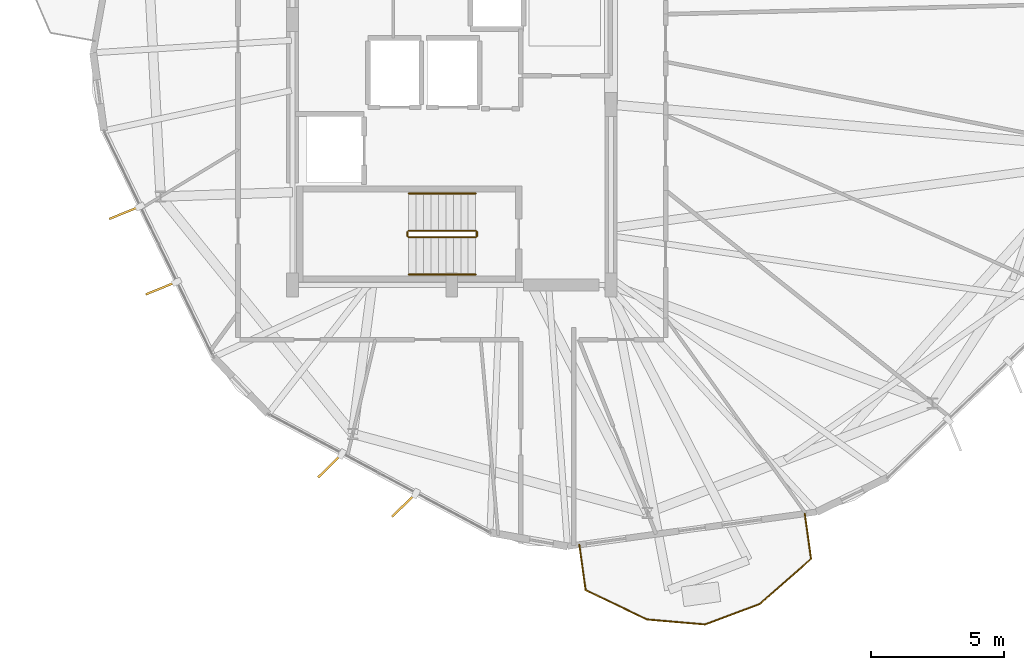
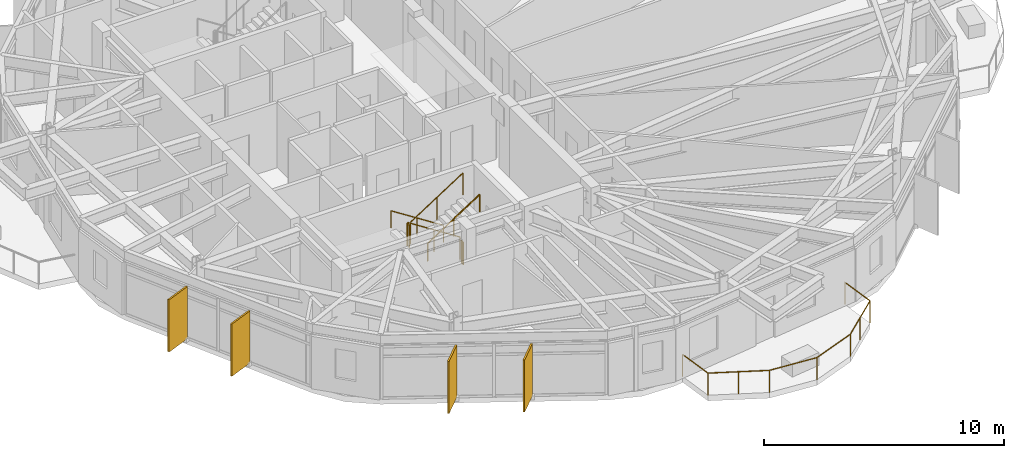
# One storey, part 24 of 26: 7 railings, 4 shading devices.
"""IFC4 building model written with IfcOpenShell, lengths in metres."""

from ifc_helpers import new_model, si_unit, direction, frame, origin, origin_2d, place, context, subcontext, project, spatial, rectangle, circle, extrude, material, layer, layer_set, type_object, element, save


model = new_model("IFC4")

# Units and contexts
model_context = context("Model", 3, precision=1e-05, world=origin(), true_north=direction((0.0, 1.0)))
body_context = subcontext(model_context, "Body", "Model", "MODEL_VIEW")
ifc_project = project(units=[si_unit("LENGTHUNIT", "METRE"), si_unit("AREAUNIT", "SQUARE_METRE"), si_unit("VOLUMEUNIT", "CUBIC_METRE"), si_unit("PLANEANGLEUNIT", "RADIAN"), si_unit("MASSUNIT", "GRAM", prefix="KILO")], contexts=[model_context])

# Site, building, storey
site_placement = place(None, origin())
site = spatial("IfcSite", under=ifc_project, at=site_placement, CompositionType="ELEMENT")
building_placement = place(site_placement, origin())
building = spatial("IfcBuilding", under=site, at=building_placement, Name="Soratama Intermodal Tower", CompositionType="ELEMENT")
storey_placement = place(building_placement, frame((0.0, 0.0, 194.199951171875)))
storey = spatial("IfcBuildingStorey", under=building, at=storey_placement, Name="L48", CompositionType="ELEMENT", Elevation=194.199951171875)

# Railings
ifc_material_1 = material(Name="Laminated glass and stainless steel balustrade", Category="steel")
railing_type_1 = type_object("IfcRailingType", Name="RL-BAL-1150", PredefinedType="BALUSTRADE", material=ifc_material_1)
railing_1_placement = place(storey_placement, frame((51.894775390625, 6.3935546875, 0.0)))
element("IfcRailing", 1, at=railing_1_placement, inside=storey, type_object=railing_type_1, Name="L48 Balcony Balustrade 4", PredefinedType="BALUSTRADE", context=body_context, shape_type="SweptSolid", body=[
    extrude(circle(Radius=0.02392578125, at=origin_2d()), frame((0.0, 0.0, 1.1259765625), z_axis=(0.136690231863, -0.990613840259, 0.0), x_axis=(0.990613840259, 0.136690231863, 0.0)), (0.0, 0.0, 1.0), 1.719970703125),
    extrude(circle(Radius=0.02392578125, at=origin_2d()), frame((0.235107421875, -1.703857421875, 1.1259765625), z_axis=(-0.751179183995, -0.660098351409, 0.0), x_axis=(0.660098351409, -0.751179183995, 0.0)), (0.0, 0.0, 1.0), 2.56787109375),
    extrude(circle(Radius=0.02392578125, at=origin_2d()), frame((-1.69384765625, -3.39892578125, 1.1259765625), z_axis=(-0.936022842187, -0.351939254566, 0.0), x_axis=(0.351939254566, -0.936022842187, 0.0)), (0.0, 0.0, 1.0), 2.197021484375),
    extrude(circle(Radius=0.02392578125, at=origin_2d()), frame((-3.750244140625, -4.172119140625, 1.1259765625), z_axis=(-0.996360953617, 0.085234090054, 0.0), x_axis=(-0.085234090054, -0.996360953617, 0.0)), (0.0, 0.0, 1.0), 2.197021484375),
    extrude(circle(Radius=0.02392578125, at=origin_2d()), frame((-5.939208984375, -3.98486328125, 1.1259765625), z_axis=(-0.901958773755, 0.431822151407, 0.0), x_axis=(-0.431822151407, -0.901958773755, 0.0)), (0.0, 0.0, 1.0), 2.56787109375),
    extrude(circle(Radius=0.02392578125, at=origin_2d()), frame((-8.25537109375, -2.8759765625, 1.1259765625), z_axis=(-0.136709454526, 0.990611187623, 0.0), x_axis=(-0.990611187623, -0.136709454526, 0.0)), (0.0, 0.0, 1.0), 1.7197265625),
    extrude(circle(Radius=0.02099609375, at=origin_2d()), origin(), (0.0, 0.0, 1.0), 1.101806640625),
    extrude(circle(Radius=0.02099609375, at=origin_2d()), frame((0.235107421875, -1.703857421875, 0.0)), (0.0, 0.0, 1.0), 1.101806640625),
    extrude(circle(Radius=0.02099609375, at=origin_2d()), frame((-0.7294921875, -2.55126953125, 0.0)), (0.0, 0.0, 1.0), 1.101806640625),
    extrude(circle(Radius=0.02099609375, at=origin_2d()), frame((-1.69384765625, -3.39892578125, 0.0)), (0.0, 0.0, 1.0), 1.101806640625),
    extrude(circle(Radius=0.02099609375, at=origin_2d()), frame((-3.750244140625, -4.172119140625, 0.0)), (0.0, 0.0, 1.0), 1.101806640625),
    extrude(circle(Radius=0.02099609375, at=origin_2d()), frame((-5.939208984375, -3.98486328125, 0.0)), (0.0, 0.0, 1.0), 1.101806640625),
    extrude(circle(Radius=0.02099609375, at=origin_2d()), frame((-7.09716796875, -3.430419921875, 0.0)), (0.0, 0.0, 1.0), 1.101806640625),
    extrude(circle(Radius=0.02099609375, at=origin_2d()), frame((-8.25537109375, -2.8759765625, 0.0)), (0.0, 0.0, 1.0), 1.101806640625),
    extrude(circle(Radius=0.02099609375, at=origin_2d()), frame((-8.490478515625, -1.17236328125, 0.0)), (0.0, 0.0, 1.0), 1.101806640625),
])
ifc_material_2 = material(Name="Painted steel stair guardrail", Category="steel")
railing_type_2 = type_object("IfcRailingType", Name="RL-STAIR-GUARD", PredefinedType="GUARDRAIL", material=ifc_material_2)
railing_2_placement = place(storey_placement, frame((39.5, 17.050048828125, 0.179931640625)))
element("IfcRailing", 2, at=railing_2_placement, inside=storey, type_object=railing_type_2, Name="L48 ST-1 stair guard 1", PredefinedType="GUARDRAIL", context=body_context, shape_type="SweptSolid", body=[
    extrude(circle(Radius=0.02392578125, at=origin_2d()), frame((0.0, 0.0, 1.1259765625), z_axis=(-0.841162588446, 0.0, 0.540782303519), x_axis=(0.0, -1.0, 0.0)), (0.0, 0.0, 1.0), 2.995849609375),
    extrude(circle(Radius=0.02099609375, at=origin_2d()), origin(), (0.0, 0.0, 1.0), 1.101806640625),
    extrude(circle(Radius=0.02099609375, at=origin_2d()), frame((-1.260009765625, 0.0, 0.81005859375)), (0.0, 0.0, 1.0), 1.101806640625),
    extrude(circle(Radius=0.02099609375, at=origin_2d()), frame((-2.52001953125, 0.0, 1.6201171875)), (0.0, 0.0, 1.0), 1.101806640625),
])
railing_3_placement = place(storey_placement, frame((36.929931640625, 17.0, 1.800048828125)))
element("IfcRailing", 3, at=railing_3_placement, inside=storey, type_object=railing_type_2, Name="L48 ST-1 stair guard 2", PredefinedType="GUARDRAIL", context=body_context, shape_type="SweptSolid", body=[
    extrude(circle(Radius=0.02392578125, at=origin_2d()), frame((0.0, 0.0, 1.1259765625), z_axis=(0.0, -1.0, 0.0), x_axis=(1.0, 0.0, 0.0)), (0.0, 0.0, 1.0), 0.14990234375),
    extrude(circle(Radius=0.02099609375, at=origin_2d()), origin(), (0.0, 0.0, 1.0), 1.101806640625),
    extrude(circle(Radius=0.02099609375, at=origin_2d()), frame((0.0, -0.14990234375, 0.0)), (0.0, 0.0, 1.0), 1.101806640625),
])
railing_4_placement = place(storey_placement, frame((36.97998046875, 16.800048828125, 1.97998046875)))
element("IfcRailing", 4, at=railing_4_placement, inside=storey, type_object=railing_type_2, Name="L48 ST-1 stair guard 3", PredefinedType="GUARDRAIL", context=body_context, shape_type="SweptSolid", body=[
    extrude(circle(Radius=0.02392578125, at=origin_2d()), frame((0.0, 0.0, 1.1259765625), z_axis=(0.841162588446, 0.0, 0.540782303519), x_axis=(0.0, 1.0, 0.0)), (0.0, 0.0, 1.0), 2.995849609375),
    extrude(circle(Radius=0.02099609375, at=origin_2d()), origin(), (0.0, 0.0, 1.0), 1.101806640625),
    extrude(circle(Radius=0.02099609375, at=origin_2d()), frame((1.260009765625, 0.0, 0.81005859375)), (0.0, 0.0, 1.0), 1.101806640625),
    extrude(circle(Radius=0.02099609375, at=origin_2d()), frame((2.52001953125, 0.0, 1.6201171875)), (0.0, 0.0, 1.0), 1.101806640625),
])
railing_5_placement = place(storey_placement, frame((39.550048828125, 17.0, 0.0)))
element("IfcRailing", 5, at=railing_5_placement, inside=storey, type_object=railing_type_2, Name="L48 ST-1 stair guard 4", PredefinedType="GUARDRAIL", context=body_context, shape_type="SweptSolid", body=[
    extrude(circle(Radius=0.02392578125, at=origin_2d()), frame((0.0, 0.0, 1.1259765625), z_axis=(0.0, -1.0, 0.0), x_axis=(1.0, 0.0, 0.0)), (0.0, 0.0, 1.0), 0.14990234375),
    extrude(circle(Radius=0.02099609375, at=origin_2d()), origin(), (0.0, 0.0, 1.0), 1.101806640625),
    extrude(circle(Radius=0.02099609375, at=origin_2d()), frame((0.0, -0.14990234375, 0.0)), (0.0, 0.0, 1.0), 1.101806640625),
])
ifc_material_3 = material(Name="Brushed stainless steel handrail", Category="steel")
railing_type_3 = type_object("IfcRailingType", Name="RL-STAIR-HAND", PredefinedType="HANDRAIL", material=ifc_material_3)
railing_6_placement = place(storey_placement, frame((39.5, 18.449951171875, 0.179931640625)))
element("IfcRailing", 6, at=railing_6_placement, inside=storey, type_object=railing_type_3, Name="L48 ST-1 stair handrail 1", PredefinedType="HANDRAIL", context=body_context, shape_type="SweptSolid", body=[
    extrude(circle(Radius=0.02392578125, at=origin_2d()), frame((0.0, 0.0, 0.8759765625), z_axis=(-0.841162588446, 0.0, 0.540782303519), x_axis=(0.0, -1.0, 0.0)), (0.0, 0.0, 1.0), 2.995849609375),
    extrude(circle(Radius=0.02099609375, at=origin_2d()), origin(), (0.0, 0.0, 1.0), 0.851806640625),
    extrude(circle(Radius=0.02099609375, at=origin_2d()), frame((-1.260009765625, 0.0, 0.81005859375)), (0.0, 0.0, 1.0), 0.851806640625),
    extrude(circle(Radius=0.02099609375, at=origin_2d()), frame((-2.52001953125, 0.0, 1.6201171875)), (0.0, 0.0, 1.0), 0.851806640625),
])
railing_7_placement = place(storey_placement, frame((36.97998046875, 15.39990234375, 1.97998046875)))
element("IfcRailing", 7, at=railing_7_placement, inside=storey, type_object=railing_type_3, Name="L48 ST-1 stair handrail 2", PredefinedType="HANDRAIL", context=body_context, shape_type="SweptSolid", body=[
    extrude(circle(Radius=0.02392578125, at=origin_2d()), frame((0.0, 0.0, 0.8759765625), z_axis=(0.841162588446, 0.0, 0.540782303519), x_axis=(0.0, 1.0, 0.0)), (0.0, 0.0, 1.0), 2.995849609375),
    extrude(circle(Radius=0.02099609375, at=origin_2d()), origin(), (0.0, 0.0, 1.0), 0.851806640625),
    extrude(circle(Radius=0.02099609375, at=origin_2d()), frame((1.260009765625, 0.0, 0.81005859375)), (0.0, 0.0, 1.0), 0.851806640625),
    extrude(circle(Radius=0.02099609375, at=origin_2d()), frame((2.52001953125, 0.0, 1.6201171875)), (0.0, 0.0, 1.0), 0.851806640625),
])

# Shading devices
ifc_material_4 = material(Name="Champagne anodised aluminium solar fin", Category="aluminium")
ifc_layer = layer(ifc_material_4, 0.080078125)
ifc_layer_set = layer_set([ifc_layer], Name="Champagne anodised aluminium solar fin")
shading_device_type = type_object("IfcShadingDeviceType", Name="SH-FIN-1250", PredefinedType="USERDEFINED", material=ifc_layer_set)
for number, where, z_axis, x_axis, name in (
    (8, (26.279296875, 17.72705078125, 0.02001953125), (0.0, 0.0, 1.0), (-0.926462953239, -0.376385967161, 0.0), "L48 Solar Fin F05-1"),
    (9, (27.656494140625, 14.885986328125, 0.02001953125), (0.0, 0.0, 1.0), (-0.926462953239, -0.376385967161, 0.0), "L48 Solar Fin F05-2"),
    (10, (34.013427734375, 8.204833984375, 0.02001953125), (0.0, 0.0, 1.0), (-0.708463024765, -0.705747931304, 0.0), "L48 Solar Fin F06-1"),
    (11, (36.79736328125, 6.7158203125, 0.02001953125), (0.0, 0.0, 1.0), (-0.708463024765, -0.705747931304, 0.0), "L48 Solar Fin F06-2"),
):
    element("IfcShadingDevice", number, at=place(storey_placement, frame(where, z_axis=z_axis, x_axis=x_axis)), inside=storey, type_object=shading_device_type, Name=name, ObjectType="FIN", PredefinedType="USERDEFINED", context=body_context, shape_type="SweptSolid", body=[
        extrude(rectangle(XDim=1.25, YDim=0.080078125, at=origin_2d()), origin(), (0.0, 0.0, 1.0), 2.658935546875),
    ])

save(model, "model.ifc")
